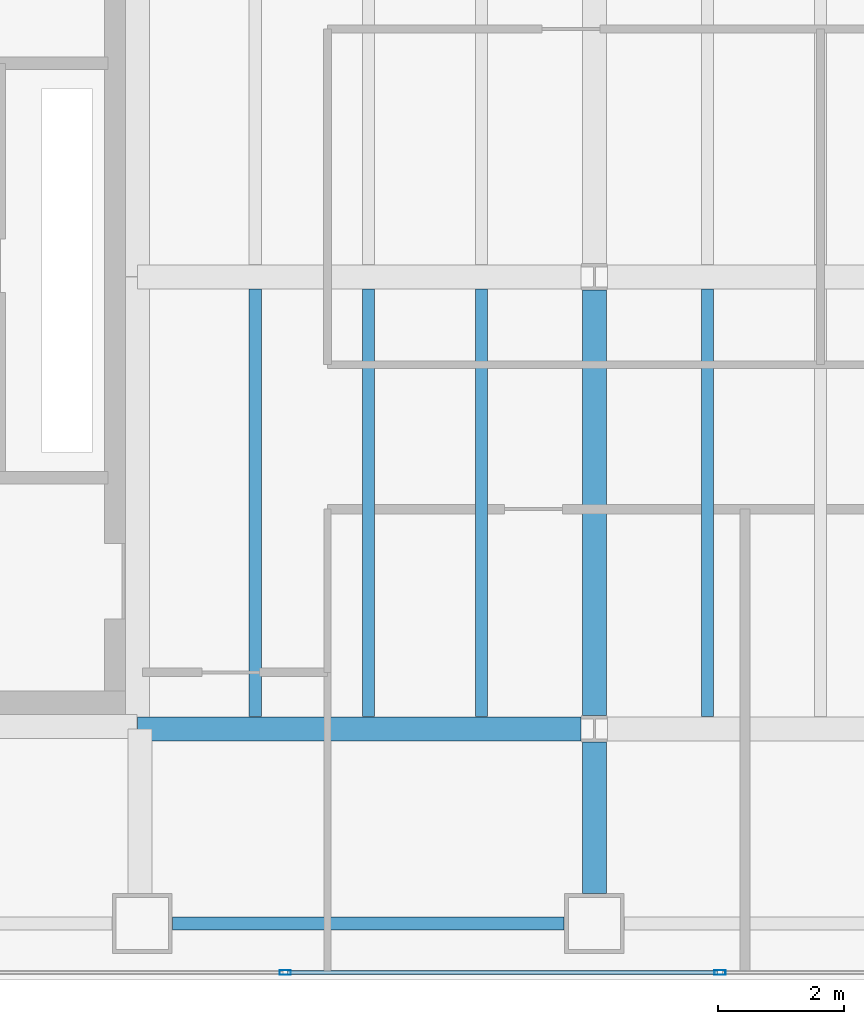
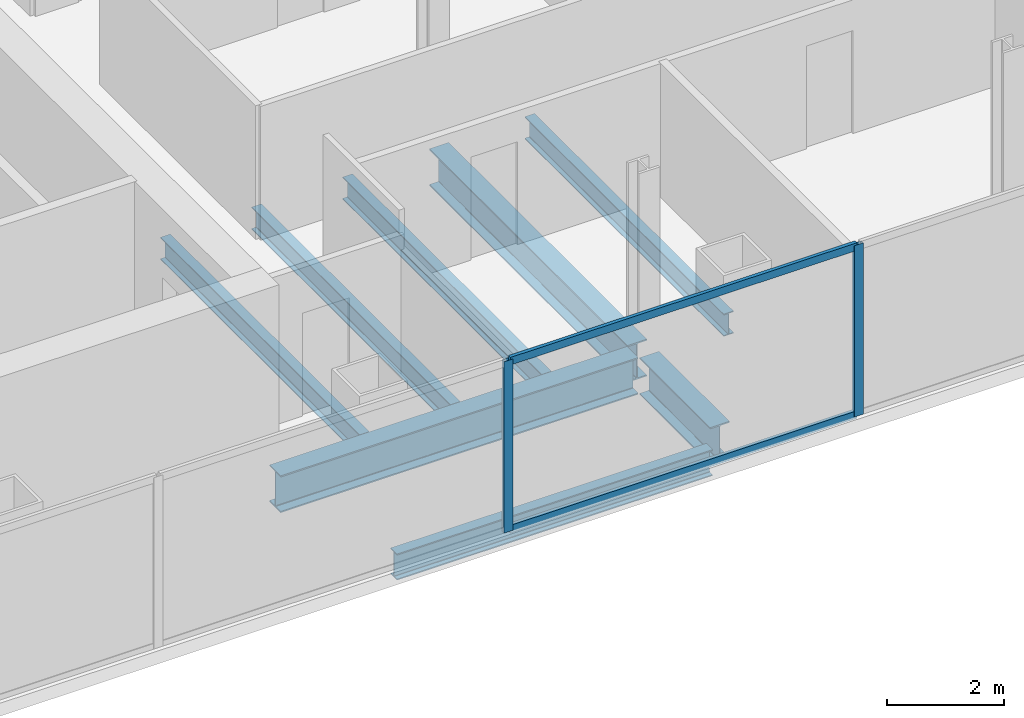
# One storey, part 4 of 23: 8 beams, 4 members, 1 element without a shape of its own.
"""IFC4 building model written with IfcOpenShell, lengths in metres."""

from ifc_helpers import new_model, si_unit, direction, frame, origin, origin_2d, place, context, subcontext, project, spatial, hollow_rectangle, i_section, extrude, material, material_profile, profile_set, type_object, element, aggregate, save


model = new_model("IFC4")

# Units and contexts
model_context = context("Model", 3, precision=1e-05, world=origin(), true_north=direction((0.0, 1.0)))
body_context = subcontext(model_context, "Body", "Model", "MODEL_VIEW")
ifc_project = project(units=[si_unit("LENGTHUNIT", "METRE"), si_unit("AREAUNIT", "SQUARE_METRE"), si_unit("VOLUMEUNIT", "CUBIC_METRE"), si_unit("PLANEANGLEUNIT", "RADIAN"), si_unit("MASSUNIT", "GRAM", prefix="KILO")], contexts=[model_context])

# Site, building, storey
site_placement = place(None, origin())
site = spatial("IfcSite", under=ifc_project, at=site_placement, CompositionType="ELEMENT")
building_placement = place(site_placement, origin())
building = spatial("IfcBuilding", under=site, at=building_placement, Name="Cobrela Telecom Tower", CompositionType="ELEMENT")
storey_placement = place(building_placement, frame((0.0, 0.0, 109.89990234375)))
storey = spatial("IfcBuildingStorey", under=building, at=storey_placement, Name="L27", CompositionType="ELEMENT", Elevation=109.89990234375)

# Beams
ifc_material_1 = material(Name="Steel ASTM A992 Grade 50", Category="steel")
ifc_material_profile_1 = material_profile(ifc_material_1, i_section(OverallWidth=0.381103515625, OverallDepth=0.77197265625, WebThickness=0.0166015625, FlangeThickness=0.027099609375, FilletRadius=0.01904296875, at=origin_2d()), Name="W30X173")
ifc_profile_set_1 = profile_set([ifc_material_profile_1], Name="Steel ASTM A992 Grade 50")
beam_type_1 = type_object("IfcBeamType", Name="BM-GIRD-04", PredefinedType="USERDEFINED", material=ifc_profile_set_1)
beam_1_placement = place(storey_placement, frame((14.324951171875, 7.199951171875, -0.656005859375), z_axis=(1.0, 0.0, 0.0), x_axis=(0.0, 1.0, 0.0)))
element("IfcBeam", 1, at=beam_1_placement, inside=storey, type_object=beam_type_1, Name="L27 Primary Girder X08", ObjectType="GIRDER", PredefinedType="USERDEFINED", context=body_context, shape_type="SweptSolid", body=[
    extrude(i_section(OverallWidth=0.381103515625, OverallDepth=0.77197265625, WebThickness=0.0166015625, FlangeThickness=0.027099609375, FilletRadius=0.01904296875, at=origin_2d()), origin(), (0.0, 0.0, 1.0), 7.0654296875),
])
beam_2_placement = place(storey_placement, frame((21.60009765625, 4.580078125, -0.656005859375), z_axis=(0.0, 1.0, 0.0), x_axis=(-1.0, 0.0, 0.0)))
element("IfcBeam", 2, at=beam_2_placement, inside=storey, type_object=beam_type_1, Name="L27 Primary Girder Y39", ObjectType="GIRDER", PredefinedType="USERDEFINED", context=body_context, shape_type="SweptSolid", body=[
    extrude(i_section(OverallWidth=0.381103515625, OverallDepth=0.77197265625, WebThickness=0.0166015625, FlangeThickness=0.027099609375, FilletRadius=0.01904296875, at=origin_2d()), origin(), (0.0, 0.0, 1.0), 2.410400390625),
])
beam_3_placement = place(storey_placement, frame((21.60009765625, 7.409423828125, -0.656005859375), z_axis=(0.0, 1.0, 0.0), x_axis=(-1.0, 0.0, 0.0)))
element("IfcBeam", 3, at=beam_3_placement, inside=storey, type_object=beam_type_1, Name="L27 Primary Girder Y40", ObjectType="GIRDER", PredefinedType="USERDEFINED", context=body_context, shape_type="SweptSolid", body=[
    extrude(i_section(OverallWidth=0.381103515625, OverallDepth=0.77197265625, WebThickness=0.0166015625, FlangeThickness=0.027099609375, FilletRadius=0.01904296875, at=origin_2d()), origin(), (0.0, 0.0, 1.0), 6.781005859375),
])
ifc_material_profile_2 = material_profile(ifc_material_1, i_section(OverallWidth=0.193115234375, OverallDepth=0.467041015625, WebThickness=0.011474609375, FlangeThickness=0.01904296875, FilletRadius=0.012939453125, at=origin_2d()), Name="W18X65")
ifc_profile_set_2 = profile_set([ifc_material_profile_2], Name="Steel ASTM A992 Grade 50")
beam_type_2 = type_object("IfcBeamType", Name="BM-JOIST-03", PredefinedType="JOIST", material=ifc_profile_set_2)
for number, where, z_axis, x_axis, name in (
    (4, (16.199951171875, 7.3955078125, -0.50341796875), (0.0, 1.0, 0.0), (-1.0, 0.0, 0.0), "L27 Secondary Composite Floor Beam J04"),
    (5, (18.0, 7.3955078125, -0.50341796875), (0.0, 1.0, 0.0), (-1.0, 0.0, 0.0), "L27 Secondary Composite Floor Beam J09"),
    (6, (19.800048828125, 7.3955078125, -0.50341796875), (0.0, 1.0, 0.0), (-1.0, 0.0, 0.0), "L27 Secondary Composite Floor Beam J14"),
    (7, (23.39990234375, 7.3955078125, -0.50341796875), (0.0, 1.0, 0.0), (-1.0, 0.0, 0.0), "L27 Secondary Composite Floor Beam J19"),
):
    element("IfcBeam", number, at=place(storey_placement, frame(where, z_axis=z_axis, x_axis=x_axis)), inside=storey, type_object=beam_type_2, Name=name, PredefinedType="JOIST", context=body_context, shape_type="SweptSolid", body=[
        extrude(i_section(OverallWidth=0.193115234375, OverallDepth=0.467041015625, WebThickness=0.011474609375, FlangeThickness=0.01904296875, FilletRadius=0.012939453125, at=origin_2d()), origin(), (0.0, 0.0, 1.0), 6.80908203125),
    ])
ifc_material_profile_3 = material_profile(ifc_material_1, i_section(OverallWidth=0.212890625, OverallDepth=0.549072265625, WebThickness=0.0146484375, FlangeThickness=0.023681640625, FilletRadius=0.013916015625, at=origin_2d()), Name="W21X93")
ifc_profile_set_3 = profile_set([ifc_material_profile_3], Name="Steel ASTM A992 Grade 50")
beam_type_3 = type_object("IfcBeamType", Name="BM-SPAND-03", PredefinedType="SPANDREL", material=ifc_profile_set_3)
beam_4_placement = place(storey_placement, frame((14.8798828125, 4.10009765625, -0.54443359375), z_axis=(1.0, 0.0, 0.0), x_axis=(0.0, 1.0, 0.0)))
element("IfcBeam", 8, at=beam_4_placement, inside=storey, type_object=beam_type_3, Name="L27 Perimeter Spandrel X02", PredefinedType="SPANDREL", context=body_context, shape_type="SweptSolid", body=[
    extrude(i_section(OverallWidth=0.212890625, OverallDepth=0.549072265625, WebThickness=0.0146484375, FlangeThickness=0.023681640625, FilletRadius=0.013916015625, at=origin_2d()), origin(), (0.0, 0.0, 1.0), 6.240234375),
])

# Curtain wall, members
ifc_material_2 = material(Name="Anodized Bronze Aluminium 6063-T6", Category="aluminium")
curtain_wall_type = type_object("IfcCurtainWallType", Name="CW-SYS-TEL", PredefinedType="USERDEFINED", material=ifc_material_2)
curtain_wall_placement = place(storey_placement, origin())
curtain_wall = element("IfcCurtainWall", 9, at=curtain_wall_placement, inside=storey, type_object=curtain_wall_type, Name="L27 Unitised Bronze Curtain Wall 17", ObjectType="UNITISED CURTAIN WALL", PredefinedType="USERDEFINED")
ifc_material_profile_4 = material_profile(ifc_material_2, hollow_rectangle(XDim=0.074951171875, YDim=0.179931640625, WallThickness=0.00390625, at=origin_2d()), Name="ALU 75x180x4")
ifc_profile_set_4 = profile_set([ifc_material_profile_4], Name="Anodized Bronze Aluminium 6063-T6")
member_type_1 = type_object("IfcMemberType", Name="CW-SYS-TEL-MUL", PredefinedType="MULLION", material=ifc_profile_set_4)
member_1_placement = place(storey_placement, frame((23.60009765625, 3.320068359375, 0.0), z_axis=(0.0, 0.0, 1.0), x_axis=(0.0, -1.0, 0.0)))
member_1 = element("IfcMember", 10, at=member_1_placement, type_object=member_type_1, Name="CW-TEL mullion 4", PredefinedType="MULLION", context=body_context, shape_type="SweptSolid", body=[
    extrude(hollow_rectangle(XDim=0.074951171875, YDim=0.179931640625, WallThickness=0.00390625, at=origin_2d()), origin(), (0.0, 0.0, 1.0), 3.580078125),
])
member_2_placement = place(storey_placement, frame((16.6767578125, 3.320068359375, 0.0), z_axis=(0.0, 0.0, 1.0), x_axis=(0.0, -1.0, 0.0)))
member_2 = element("IfcMember", 11, at=member_2_placement, type_object=member_type_1, Name="CW-TEL mullion 5", PredefinedType="MULLION", context=body_context, shape_type="SweptSolid", body=[
    extrude(hollow_rectangle(XDim=0.074951171875, YDim=0.179931640625, WallThickness=0.00390625, at=origin_2d()), origin(), (0.0, 0.0, 1.0), 3.580078125),
])
ifc_material_profile_5 = material_profile(ifc_material_2, hollow_rectangle(XDim=0.070068359375, YDim=0.159912109375, WallThickness=0.00390625, at=origin_2d()), Name="ALU 70x160x4")
ifc_profile_set_5 = profile_set([ifc_material_profile_5], Name="Anodized Bronze Aluminium 6063-T6")
member_type_2 = type_object("IfcMemberType", Name="CW-SYS-TEL-TRN", PredefinedType="USERDEFINED", material=ifc_profile_set_5)
member_3_placement = place(storey_placement, frame((23.5625, 3.320068359375, 0.03515625), z_axis=(-1.0, 0.0, 0.0), x_axis=(0.0, -1.0, 0.0)))
member_3 = element("IfcMember", 12, at=member_3_placement, type_object=member_type_2, Name="CW-TEL transom 4.1", ObjectType="TRANSOM", PredefinedType="USERDEFINED", context=body_context, shape_type="SweptSolid", body=[
    extrude(hollow_rectangle(XDim=0.070068359375, YDim=0.159912109375, WallThickness=0.00390625, at=origin_2d()), origin(), (0.0, 0.0, 1.0), 6.848388671875),
])
member_4_placement = place(storey_placement, frame((23.5625, 3.320068359375, 3.545166015625), z_axis=(-1.0, 0.0, 0.0), x_axis=(0.0, -1.0, 0.0)))
member_4 = element("IfcMember", 13, at=member_4_placement, type_object=member_type_2, Name="CW-TEL transom 4.2", ObjectType="TRANSOM", PredefinedType="USERDEFINED", context=body_context, shape_type="SweptSolid", body=[
    extrude(hollow_rectangle(XDim=0.070068359375, YDim=0.159912109375, WallThickness=0.00390625, at=origin_2d()), origin(), (0.0, 0.0, 1.0), 6.848388671875),
])
aggregate(curtain_wall, [member_1, member_2, member_3, member_4])

save(model, "model.ifc")
